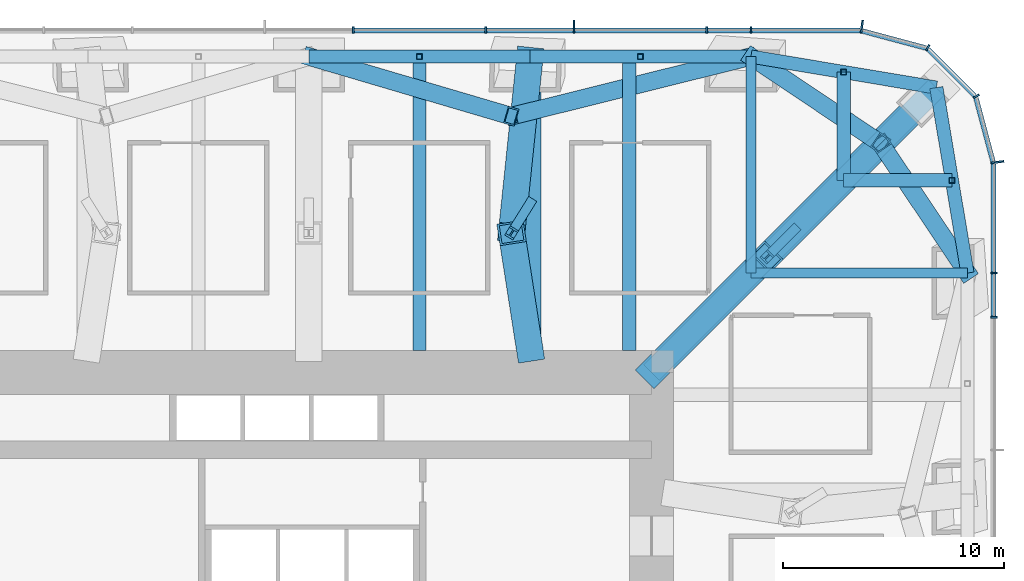
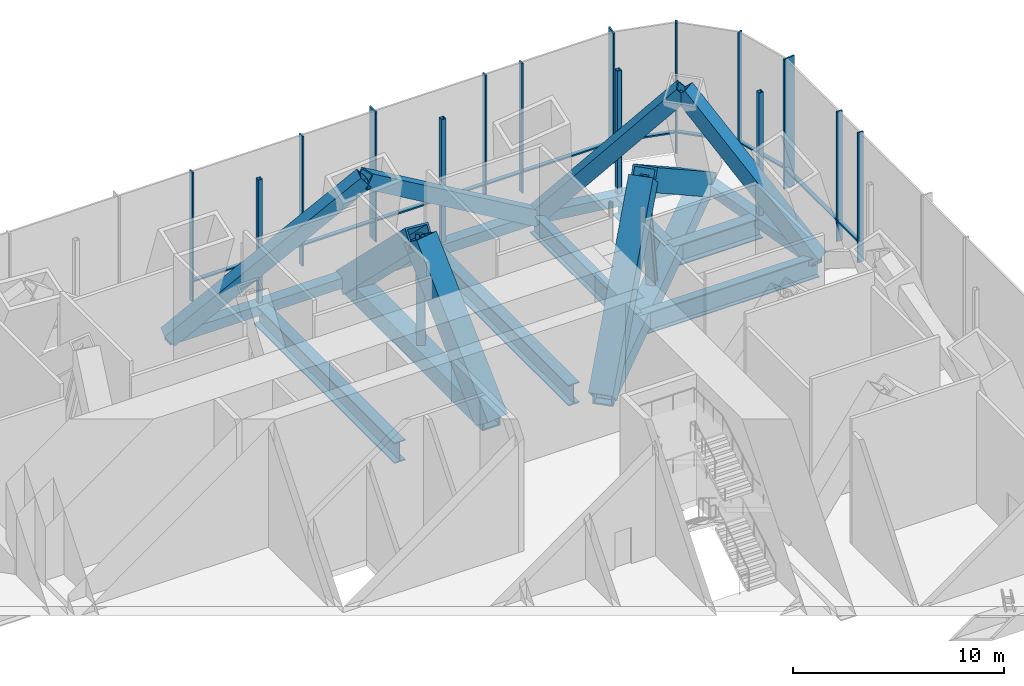
# One storey, part 9 of 20: 41 members, 6 beams, 3 elements without a shape of their own.
"""IFC4 building model written with IfcOpenShell, lengths in metres."""

import ifcopenshell
import ifcopenshell.guid

model = None  # the IFC model being written
_history = None  # IfcOwnerHistory: only IFC2X3 demands one
_inside = {}  # id of a spatial element -> (the spatial element, [elements in it])
_under = {}  # id of a project, library or spatial element -> (it, [spatial elements below it])
_declared = {}  # id of a project -> (the project, [libraries it declares])
_typed = {}  # id of a type object -> (the type object, [elements of that type])
_made_of = {}  # id of a material, layer set ... -> (it, [elements and type objects made of it])


def new_model(schema):
    """Start an empty IFC model of exactly this schema.

    Asked for "IFC4X3", IfcOpenShell would pick the latest addendum, in which some entities
    have other attributes; the version numbers below select the first issue.
    IFC2X3 requires an IfcOwnerHistory on every rooted entity: one is made here for all.
    """
    global model, _history
    if schema == "IFC4X3":
        model = ifcopenshell.file(schema_version=(4, 3, 0, 0))
    else:
        model = ifcopenshell.file(schema=schema)
    _inside.clear()
    _under.clear()
    _declared.clear()
    _typed.clear()
    _made_of.clear()
    _history = None
    if model.schema == "IFC2X3":
        org = make("IfcOrganization", Name="unknown")
        user = make(
            "IfcPersonAndOrganization",
            ThePerson=make("IfcPerson", FamilyName="unknown"),
            TheOrganization=org,
        )
        app = make(
            "IfcApplication",
            ApplicationDeveloper=org,
            Version="unknown",
            ApplicationFullName="unknown",
            ApplicationIdentifier="unknown",
        )
        _history = make(
            "IfcOwnerHistory",
            OwningUser=user,
            OwningApplication=app,
            ChangeAction="ADDED",
            CreationDate=0,
        )
    return model


def make(cls, **values):
    """One entity of the class cls with the attributes given. An attribute that is None is left unset."""
    return model.create_entity(
        cls, **{name: value for name, value in values.items() if value is not None}
    )


def rooted(cls, **values):
    """An entity with a GlobalId (a new one), such as an element, a storey or a relation."""
    return make(cls, GlobalId=ifcopenshell.guid.new(), OwnerHistory=_history, **values)


def si_unit(unit_type, name, prefix=None):
    """IfcSIUnit, for example si_unit("LENGTHUNIT", "METRE", prefix="MILLI")."""
    return make("IfcSIUnit", UnitType=unit_type, Prefix=prefix, Name=name)


def assignment(units):
    """IfcUnitAssignment: the units of a project."""
    return None if units is None else make("IfcUnitAssignment", Units=units)


def point(xyz):
    """IfcCartesianPoint."""
    return None if xyz is None else make("IfcCartesianPoint", Coordinates=xyz)


def direction(xyz):
    """IfcDirection."""
    return None if xyz is None else make("IfcDirection", DirectionRatios=xyz)


def frame(location, z_axis=None, x_axis=None):
    """IfcAxis2Placement3D, a coordinate frame: its origin and axes. An axis left out is left unset."""
    return make(
        "IfcAxis2Placement3D",
        Location=point(location),
        Axis=direction(z_axis),
        RefDirection=direction(x_axis),
    )


def frame_2d(location, x_axis=None):
    """IfcAxis2Placement2D, a coordinate frame in the plane: its origin and x axis."""
    return make(
        "IfcAxis2Placement2D", Location=point(location), RefDirection=direction(x_axis)
    )


def origin():
    """The frame at (0, 0, 0) with its axes left unset."""
    return frame((0.0, 0.0, 0.0))


def origin_2d():
    """The frame at (0, 0) in the plane with its x axis left unset."""
    return frame_2d((0.0, 0.0))


def place(relative_to, where):
    """IfcLocalPlacement: puts the frame where relative to a parent placement (None: the world)."""
    return make(
        "IfcLocalPlacement", PlacementRelTo=relative_to, RelativePlacement=where
    )


def context(
    kind, dimensions, precision=None, world=None, true_north=None, identifier=None
):
    """IfcGeometricRepresentationContext, for example the 3D "Model" context."""
    return make(
        "IfcGeometricRepresentationContext",
        ContextIdentifier=identifier,
        ContextType=kind,
        CoordinateSpaceDimension=dimensions,
        Precision=precision,
        WorldCoordinateSystem=world,
        TrueNorth=true_north,
    )


def subcontext(parent, identifier, kind, view, scale=None):
    """IfcGeometricRepresentationSubContext, for example "Body" below "Model"."""
    return make(
        "IfcGeometricRepresentationSubContext",
        ContextIdentifier=identifier,
        ContextType=kind,
        ParentContext=parent,
        TargetScale=scale,
        TargetView=view,
    )


def project(units=None, contexts=None):
    """IfcProject with its units and contexts."""
    return rooted(
        "IfcProject",
        Name="project",
        RepresentationContexts=contexts,
        UnitsInContext=assignment(units),
    )


def spatial(cls, under=None, at=None, **own):
    """A site, building, storey or space (cls), placed at a placement, below another one or the project."""
    s = rooted(cls, ObjectPlacement=at, **own)
    if under is not None:
        _under.setdefault(under.id(), (under, []))[1].append(s)
    return s


def profile(cls, at=None, kind="AREA", **sizes):
    """A parametric profile (cls). Its sizes go by their IFC names, for example OverallWidth=200.0."""
    return make(cls, ProfileType=kind, Position=at, **sizes)


def rectangle(**sizes):
    """IfcRectangleProfileDef."""
    return profile("IfcRectangleProfileDef", **sizes)


def hollow_rectangle(**sizes):
    """IfcRectangleHollowProfileDef."""
    return profile("IfcRectangleHollowProfileDef", **sizes)


def i_section(**sizes):
    """IfcIShapeProfileDef."""
    return profile("IfcIShapeProfileDef", **sizes)


def extrude(swept, where, along, depth):
    """IfcExtrudedAreaSolid: the profile swept, set in the frame where, extruded along a direction by depth."""
    return make(
        "IfcExtrudedAreaSolid",
        SweptArea=swept,
        Position=where,
        ExtrudedDirection=direction(along),
        Depth=depth,
    )


def shape(context_of_items, identifier, shape_type, items):
    """IfcShapeRepresentation: the items that make up one representation, for example the "Body"."""
    return make(
        "IfcShapeRepresentation",
        ContextOfItems=context_of_items,
        RepresentationIdentifier=identifier,
        RepresentationType=shape_type,
        Items=items,
    )


def material(Name=None, Category=None):
    """IfcMaterial."""
    return make("IfcMaterial", Name=Name, Category=Category)


def material_profile(
    of_material, cross_section, Name=None, Category=None, Priority=None
):
    """IfcMaterialProfile: a cross section and its material."""
    return make(
        "IfcMaterialProfile",
        Name=Name,
        Material=of_material,
        Profile=cross_section,
        Priority=Priority,
        Category=Category,
    )


def profile_set(profiles, Name=None, composite=None):
    """IfcMaterialProfileSet."""
    return make(
        "IfcMaterialProfileSet",
        Name=Name,
        MaterialProfiles=profiles,
        CompositeProfile=composite,
    )


def made_of(thing, what):
    """Note that an element or type object is made of a material, layer set ...; save() writes the relation."""
    if what is not None:
        _made_of.setdefault(what.id(), (what, []))[1].append(thing)
    return thing


def type_object(cls, material=None, **own):
    """A type object (cls), such as IfcWallType, which elements share."""
    return made_of(rooted(cls, **own), material)


def element(
    cls,
    number,
    at=None,
    inside=None,
    cuts=None,
    type_object=None,
    material=None,
    context=None,
    identifier="Body",
    shape_type=None,
    held_by="IfcProductDefinitionShape",
    body=None,
    shapes=None,
    **own,
):
    """One element of the class cls, such as IfcWall. Its Tag is "e" and its number.

    at: its placement. inside: the storey or other place that contains it. cuts: it is an
    opening in that element (IfcRelVoidsElement). A single representation is given by context,
    identifier, shape_type and body (its items); several are given by shapes. held_by: the class
    of the entity that holds the representations. save() writes the other relations.
    """
    e = rooted(cls, Tag="e%d" % number, ObjectPlacement=at, **own)
    if body is not None:
        shapes = [shape(context, identifier, shape_type, body)]
    if shapes is not None:
        e.Representation = make(held_by, Representations=shapes)
    if inside is not None:
        _inside.setdefault(inside.id(), (inside, []))[1].append(e)
    if cuts is not None:
        rooted(
            "IfcRelVoidsElement", RelatingBuildingElement=cuts, RelatedOpeningElement=e
        )
    if type_object is not None:
        _typed.setdefault(type_object.id(), (type_object, []))[1].append(e)
    return made_of(e, material)


def aggregate(whole, parts):
    """IfcRelAggregates: a whole, such as a stair, and the parts it consists of."""
    return rooted("IfcRelAggregates", RelatingObject=whole, RelatedObjects=parts)


def save(model, path):
    """Write the relations noted so far, then the file.

    IfcRelAggregates (storeys below a building ...), IfcRelContainedInSpatialStructure (elements
    in a storey), IfcRelDefinesByType, IfcRelAssociatesMaterial and IfcRelDeclares: one each for
    every whole, place, type object, material and project.
    """
    for whole, parts in _under.values():
        aggregate(whole, parts)
    for where, things in _inside.values():
        rooted(
            "IfcRelContainedInSpatialStructure",
            RelatedElements=things,
            RelatingStructure=where,
        )
    for kind, things in _typed.values():
        rooted("IfcRelDefinesByType", RelatedObjects=things, RelatingType=kind)
    for what, things in _made_of.values():
        rooted("IfcRelAssociatesMaterial", RelatedObjects=things, RelatingMaterial=what)
    for by, libraries in _declared.values():
        rooted("IfcRelDeclares", RelatingContext=by, RelatedDefinitions=libraries)
    model.write(path)


model = new_model("IFC4")

# Units and contexts
model_context = context("Model", 3, precision=1e-05, world=origin(), true_north=direction((0.0, 1.0)))
body_context = subcontext(model_context, "Body", "Model", "MODEL_VIEW")
ifc_project = project(units=[si_unit("LENGTHUNIT", "METRE"), si_unit("AREAUNIT", "SQUARE_METRE"), si_unit("VOLUMEUNIT", "CUBIC_METRE"), si_unit("PLANEANGLEUNIT", "RADIAN"), si_unit("MASSUNIT", "GRAM", prefix="KILO")], contexts=[model_context])

# Site, building, storey
site_placement = place(None, origin())
site = spatial("IfcSite", under=ifc_project, at=site_placement, CompositionType="ELEMENT")
building_placement = place(site_placement, origin())
building = spatial("IfcBuilding", under=site, at=building_placement, Name="Khuree Lantern Residences", CompositionType="ELEMENT")
storey_placement = place(building_placement, frame((0.0, 0.0, 99.75)))
storey = spatial("IfcBuildingStorey", under=building, at=storey_placement, Name="L25", CompositionType="ELEMENT", Elevation=99.75)

# Beams
ifc_material_1 = material(Name="Steel S355", Category="steel")
ifc_material_profile_1 = material_profile(ifc_material_1, i_section(OverallWidth=0.60009765625, OverallDepth=1.199951171875, WebThickness=0.030029296875, FlangeThickness=0.06005859375, at=origin_2d()), Name="WELDED I 1200X600X30X60")
ifc_profile_set_1 = profile_set([ifc_material_profile_1], Name="Steel S355")
beam_type_1 = type_object("IfcBeamType", Name="B-25 SECONDARY BEAM WELDED I 1200X600X30X60", PredefinedType="BEAM", material=ifc_profile_set_1)
for number, where, z_axis, x_axis, name in (
    (1, (5.0, 29.800048828125, -0.949951171875), (0.0, -1.0, 0.0), (1.0, 0.0, 0.0), "Secondary beam N3"),
    (2, (14.5, 29.800048828125, -0.949951171875), (0.0, -1.0, 0.0), (1.0, 0.0, 0.0), "Secondary beam N4"),
):
    element("IfcBeam", number, at=place(storey_placement, frame(where, z_axis=z_axis, x_axis=x_axis)), inside=storey, type_object=beam_type_1, Name=name, PredefinedType="BEAM", context=body_context, shape_type="SweptSolid", body=[
        extrude(i_section(OverallWidth=0.60009765625, OverallDepth=1.199951171875, WebThickness=0.030029296875, FlangeThickness=0.06005859375, at=origin_2d()), origin(), (0.0, 0.0, 1.0), 13.300048828125),
    ])
for number, where, z_axis, x_axis, name in (
    (3, (24.197021484375, 29.09716796875, -0.949951171875), (0.0, -1.0, 0.0), (1.0, 0.0, 0.0), "Secondary beam N5"),
    (4, (29.09716796875, 24.197021484375, -0.949951171875), (-1.0, 0.0, 0.0), (0.0, -1.0, 0.0), "Secondary beam E1"),
):
    element("IfcBeam", number, at=place(storey_placement, frame(where, z_axis=z_axis, x_axis=x_axis)), inside=storey, type_object=beam_type_1, Name=name, PredefinedType="BEAM", context=body_context, shape_type="SweptSolid", body=[
        extrude(i_section(OverallWidth=0.60009765625, OverallDepth=1.199951171875, WebThickness=0.030029296875, FlangeThickness=0.06005859375, at=origin_2d()), origin(), (0.0, 0.0, 1.0), 4.900146484375),
    ])

# Members
ifc_material_profile_2 = material_profile(ifc_material_1, hollow_rectangle(XDim=0.800048828125, YDim=0.800048828125, WallThickness=0.070068359375, at=origin_2d()), Name="WELDED BOX 800X800X70")
ifc_profile_set_2 = profile_set([ifc_material_profile_2], Name="Steel S355")
member_type_1 = type_object("IfcMemberType", Name="BD-25 BELT TRUSS DIAGONAL WELDED BOX 800X800X70", PredefinedType="BRACE", material=ifc_profile_set_2)
member_1_placement = place(storey_placement, frame((0.0, 29.800048828125, -0.64990234375), z_axis=(0.750531400006, -0.22122462626, 0.622705614509), x_axis=(0.282731000098, 0.959199239774, 0.0)))
element("IfcMember", 5, at=member_1_placement, inside=storey, type_object=member_type_1, Name="Belt truss diagonal N3", PredefinedType="BRACE", context=body_context, shape_type="SweptSolid", body=[
    extrude(hollow_rectangle(XDim=0.800048828125, YDim=0.800048828125, WallThickness=0.070068359375, at=origin_2d()), origin(), (0.0, 0.0, 1.0), 12.20458984375),
])
member_2_placement = place(storey_placement, frame((9.159912109375, 27.10009765625, 6.949951171875), z_axis=(0.802298387089, 0.199829234991, -0.562481621849), x_axis=(-0.241687069936, 0.970354244709, 0.0)))
element("IfcMember", 6, at=member_2_placement, inside=storey, type_object=member_type_1, Name="Belt truss diagonal N4", PredefinedType="BRACE", context=body_context, shape_type="SweptSolid", body=[
    extrude(hollow_rectangle(XDim=0.800048828125, YDim=0.800048828125, WallThickness=0.070068359375, at=origin_2d()), origin(), (0.0, 0.0, 1.0), 13.51123046875),
])
for number, where, z_axis, x_axis, name in (
    (7, (20.0, 29.800048828125, -0.64990234375), (0.565721390777, -0.378778977196, 0.732451905897), (0.556358006907, 0.830942698476, 0.0), "Belt truss diagonal N5"),
    (8, (25.869873046875, 25.869873046875, 6.949951171875), (0.378778977196, -0.565721390777, -0.732451905897), (0.830942698476, 0.556358006907, 0.0), "Belt truss diagonal E1"),
):
    element("IfcMember", number, at=place(storey_placement, frame(where, z_axis=z_axis, x_axis=x_axis)), inside=storey, type_object=member_type_1, Name=name, PredefinedType="BRACE", context=body_context, shape_type="SweptSolid", body=[
        extrude(hollow_rectangle(XDim=0.800048828125, YDim=0.800048828125, WallThickness=0.070068359375, at=origin_2d()), origin(), (0.0, 0.0, 1.0), 10.3759765625),
    ])
ifc_material_profile_3 = material_profile(ifc_material_1, hollow_rectangle(XDim=0.60009765625, YDim=0.60009765625, WallThickness=0.050048828125, at=origin_2d()), Name="WELDED BOX 600X600X50")
ifc_profile_set_3 = profile_set([ifc_material_profile_3], Name="Steel S355")
member_type_2 = type_object("IfcMemberType", Name="BT-25 BELT TRUSS CHORD WELDED BOX 600X600X50", PredefinedType="CHORD", material=ifc_profile_set_3)
for number, where, z_axis, x_axis, name in (
    (9, (0.0, 29.800048828125, -0.64990234375), (1.0, 0.0, 0.0), (0.0, 1.0, 0.0), "Belt truss chord N3"),
    (10, (10.0, 29.800048828125, -0.64990234375), (1.0, 0.0, 0.0), (0.0, 1.0, 0.0), "Belt truss chord N4"),
):
    element("IfcMember", number, at=place(storey_placement, frame(where, z_axis=z_axis, x_axis=x_axis)), inside=storey, type_object=member_type_2, Name=name, PredefinedType="CHORD", context=body_context, shape_type="SweptSolid", body=[
        extrude(hollow_rectangle(XDim=0.60009765625, YDim=0.60009765625, WallThickness=0.050048828125, at=origin_2d()), origin(), (0.0, 0.0, 1.0), 10.0),
    ])
for number, where, z_axis, x_axis, name in (
    (11, (20.0, 29.800048828125, -0.64990234375), (0.986260251158, -0.165199022349, 0.0), (0.165199022349, 0.986260251158, 0.0), "Belt truss chord N5"),
    (12, (28.39404296875, 28.39404296875, -0.64990234375), (0.165199022349, -0.986260251158, 0.0), (0.986260251158, 0.165199022349, 0.0), "Belt truss chord E1"),
):
    element("IfcMember", number, at=place(storey_placement, frame(where, z_axis=z_axis, x_axis=x_axis)), inside=storey, type_object=member_type_2, Name=name, PredefinedType="CHORD", context=body_context, shape_type="SweptSolid", body=[
        extrude(hollow_rectangle(XDim=0.60009765625, YDim=0.60009765625, WallThickness=0.050048828125, at=origin_2d()), origin(), (0.0, 0.0, 1.0), 8.510986328125),
    ])

# Curtain wall, member
ifc_material_2 = material(Name="Bronze anodised aluminium", Category="aluminium")
curtain_wall_type = type_object("IfcCurtainWallType", Name="CW-G PLANT STOREY LOUVRED CURTAIN WALL", PredefinedType="USERDEFINED", material=ifc_material_2)
curtain_wall_1_placement = place(storey_placement, origin())
curtain_wall_1 = element("IfcCurtainWall", 13, at=curtain_wall_1_placement, inside=storey, type_object=curtain_wall_type, Name="L25 NORTH-EAST CORNER CURTAIN WALL", ObjectType="Louvred curtain wall", PredefinedType="USERDEFINED")
ifc_material_profile_4 = material_profile(ifc_material_2, rectangle(XDim=0.080078125, YDim=0.60009765625, at=origin_2d()), Name="F2 80X600")
ifc_profile_set_4 = profile_set([ifc_material_profile_4], Name="Bronze anodised aluminium")
member_type_3 = type_object("IfcMemberType", Name="F2 BRONZE FIN MULLION PLANT 80X600", PredefinedType="MULLION", material=ifc_profile_set_4)
member_3_placement = place(storey_placement, frame((31.150146484375, 25.019775390625, 0.0), z_axis=(0.0, 0.0, 1.0), x_axis=(-0.130526257387, 0.991444852794, 0.0)))
member_3 = element("IfcMember", 14, at=member_3_placement, type_object=member_type_3, Name="L25 NORTH-EAST CORNER FIN MULLION 15", PredefinedType="MULLION", context=body_context, shape_type="SweptSolid", body=[
    extrude(rectangle(XDim=0.080078125, YDim=0.60009765625, at=origin_2d()), origin(), (0.0, 0.0, 1.0), 7.5),
])

# Curtain wall, members
curtain_wall_2_placement = place(storey_placement, origin())
curtain_wall_2 = element("IfcCurtainWall", 15, at=curtain_wall_2_placement, inside=storey, type_object=curtain_wall_type, Name="L25 NORTH FACE CURTAIN WALL", ObjectType="Louvred curtain wall", PredefinedType="USERDEFINED")
member_4_placement = place(storey_placement, frame((25.019775390625, 31.150146484375, 0.0), z_axis=(0.0, 0.0, 1.0), x_axis=(-0.991444852794, 0.130526257387, 0.0)))
member_4 = element("IfcMember", 16, at=member_4_placement, type_object=member_type_3, Name="L25 NORTH FACE FIN MULLION 18", PredefinedType="MULLION", context=body_context, shape_type="SweptSolid", body=[
    extrude(rectangle(XDim=0.080078125, YDim=0.60009765625, at=origin_2d()), origin(), (0.0, 0.0, 1.0), 7.5),
])
member_5_placement = place(storey_placement, frame((12.0, 31.14990234375, 0.0), z_axis=(0.0, 0.0, 1.0), x_axis=(-1.0, 0.0, 0.0)))
member_5 = element("IfcMember", 17, at=member_5_placement, type_object=member_type_3, Name="L25 NORTH FACE FIN MULLION 21", PredefinedType="MULLION", context=body_context, shape_type="SweptSolid", body=[
    extrude(rectangle(XDim=0.080078125, YDim=0.60009765625, at=origin_2d()), origin(), (0.0, 0.0, 1.0), 7.5),
])

# Beams
ifc_material_profile_5 = material_profile(ifc_material_1, i_section(OverallWidth=0.449951171875, OverallDepth=1.199951171875, WebThickness=0.02490234375, FlangeThickness=0.044921875, at=origin_2d()), Name="WELDED I 1200X450X25X45")
ifc_profile_set_5 = profile_set([ifc_material_profile_5], Name="Steel S355")
beam_type_2 = type_object("IfcBeamType", Name="G-25 GIRDER WELDED I 1200X450X25X45", PredefinedType="BEAM", material=ifc_profile_set_5)
for number, where, z_axis, x_axis, name in (
    (18, (20.0, 29.800048828125, -0.949951171875), (0.0, -1.0, 0.0), (1.0, 0.0, 0.0), "Girder N5"),
    (19, (29.800048828125, 20.0, -0.949951171875), (-1.0, 0.0, 0.0), (0.0, -1.0, 0.0), "Girder E1"),
):
    element("IfcBeam", number, at=place(storey_placement, frame(where, z_axis=z_axis, x_axis=x_axis)), inside=storey, type_object=beam_type_2, Name=name, PredefinedType="BEAM", context=body_context, shape_type="SweptSolid", body=[
        extrude(i_section(OverallWidth=0.449951171875, OverallDepth=1.199951171875, WebThickness=0.02490234375, FlangeThickness=0.044921875, at=origin_2d()), origin(), (0.0, 0.0, 1.0), 9.800048828125),
    ])

# Curtain wall, members
curtain_wall_3_placement = place(storey_placement, origin())
curtain_wall_3 = element("IfcCurtainWall", 20, at=curtain_wall_3_placement, inside=storey, type_object=curtain_wall_type, Name="L25 EAST FACE CURTAIN WALL", ObjectType="Louvred curtain wall", PredefinedType="USERDEFINED")
ifc_material_profile_6 = material_profile(ifc_material_2, rectangle(XDim=0.080078125, YDim=0.300048828125, at=origin_2d()), Name="M2 80X300")
ifc_profile_set_6 = profile_set([ifc_material_profile_6], Name="Bronze anodised aluminium")
member_type_4 = type_object("IfcMemberType", Name="MULLION M2 PLANT 80X300", PredefinedType="MULLION", material=ifc_profile_set_6)
member_6_placement = place(storey_placement, frame((31.0, 18.0, 0.0), z_axis=(0.0, 0.0, 1.0), x_axis=(0.0, 1.0, 0.0)))
member_6 = element("IfcMember", 21, at=member_6_placement, type_object=member_type_4, Name="L25 EAST FACE MULLION 13", PredefinedType="MULLION", context=body_context, shape_type="SweptSolid", body=[
    extrude(rectangle(XDim=0.080078125, YDim=0.300048828125, at=origin_2d()), origin(), (0.0, 0.0, 1.0), 7.5),
])
member_7_placement = place(storey_placement, frame((31.0, 20.0, 0.0), z_axis=(0.0, 0.0, 1.0), x_axis=(0.0, 1.0, 0.0)))
member_7 = element("IfcMember", 22, at=member_7_placement, type_object=member_type_4, Name="L25 EAST FACE MULLION 14", PredefinedType="MULLION", context=body_context, shape_type="SweptSolid", body=[
    extrude(rectangle(XDim=0.080078125, YDim=0.300048828125, at=origin_2d()), origin(), (0.0, 0.0, 1.0), 7.5),
])

# Member
member_8_placement = place(storey_placement, frame((30.196044921875, 28.0, 0.0), z_axis=(0.0, 0.0, 1.0), x_axis=(-0.500000056923, 0.86602537092, 0.0)))
member_8 = element("IfcMember", 23, at=member_8_placement, type_object=member_type_4, Name="L25 NORTH-EAST CORNER MULLION 16", PredefinedType="MULLION", context=body_context, shape_type="SweptSolid", body=[
    extrude(rectangle(XDim=0.080078125, YDim=0.300048828125, at=origin_2d()), origin(), (0.0, 0.0, 1.0), 7.5),
])

member_9_placement = place(storey_placement, frame((28.0, 30.196044921875, 0.0), z_axis=(0.0, 0.0, 1.0), x_axis=(-0.86602537092, 0.500000056923, 0.0)))
member_9 = element("IfcMember", 24, at=member_9_placement, type_object=member_type_4, Name="L25 NORTH-EAST CORNER MULLION 17", PredefinedType="MULLION", context=body_context, shape_type="SweptSolid", body=[
    extrude(rectangle(XDim=0.080078125, YDim=0.300048828125, at=origin_2d()), origin(), (0.0, 0.0, 1.0), 7.5),
])

member_10_placement = place(storey_placement, frame((20.0, 31.0, 0.0), z_axis=(0.0, 0.0, 1.0), x_axis=(-1.0, 0.0, 0.0)))
member_10 = element("IfcMember", 25, at=member_10_placement, type_object=member_type_4, Name="L25 NORTH FACE MULLION 19", PredefinedType="MULLION", context=body_context, shape_type="SweptSolid", body=[
    extrude(rectangle(XDim=0.080078125, YDim=0.300048828125, at=origin_2d()), origin(), (0.0, 0.0, 1.0), 7.5),
])

member_11_placement = place(storey_placement, frame((18.0, 31.0, 0.0), z_axis=(0.0, 0.0, 1.0), x_axis=(-1.0, 0.0, 0.0)))
member_11 = element("IfcMember", 26, at=member_11_placement, type_object=member_type_4, Name="L25 NORTH FACE MULLION 20", PredefinedType="MULLION", context=body_context, shape_type="SweptSolid", body=[
    extrude(rectangle(XDim=0.080078125, YDim=0.300048828125, at=origin_2d()), origin(), (0.0, 0.0, 1.0), 7.5),
])

member_12_placement = place(storey_placement, frame((8.0, 31.0, 0.0), z_axis=(0.0, 0.0, 1.0), x_axis=(-1.0, 0.0, 0.0)))
member_12 = element("IfcMember", 27, at=member_12_placement, type_object=member_type_4, Name="L25 NORTH FACE MULLION 22", PredefinedType="MULLION", context=body_context, shape_type="SweptSolid", body=[
    extrude(rectangle(XDim=0.080078125, YDim=0.300048828125, at=origin_2d()), origin(), (0.0, 0.0, 1.0), 7.5),
])

member_13_placement = place(storey_placement, frame((2.0, 31.0, 0.0), z_axis=(0.0, 0.0, 1.0), x_axis=(-1.0, 0.0, 0.0)))
member_13 = element("IfcMember", 28, at=member_13_placement, type_object=member_type_4, Name="L25 NORTH FACE MULLION 23", PredefinedType="MULLION", context=body_context, shape_type="SweptSolid", body=[
    extrude(rectangle(XDim=0.080078125, YDim=0.300048828125, at=origin_2d()), origin(), (0.0, 0.0, 1.0), 7.5),
])

# Members
ifc_material_profile_7 = material_profile(ifc_material_1, hollow_rectangle(XDim=1.199951171875, YDim=1.199951171875, WallThickness=0.10009765625, at=origin_2d()), Name="WELDED BOX 1200X1200X100")
ifc_profile_set_7 = profile_set([ifc_material_profile_7], Name="Steel S355")
member_type_5 = type_object("IfcMemberType", Name="OD-25 OUTRIGGER TRUSS DIAGONAL WELDED BOX 1200X1200X100", PredefinedType="BRACE", material=ifc_profile_set_7)
member_14_placement = place(storey_placement, frame((15.5, 15.5, -0.85009765625), z_axis=(0.493384393835, 0.493384393835, 0.716340477594), x_axis=(-0.707106781187, 0.707106781187, 0.0)))
element("IfcMember", 29, at=member_14_placement, inside=storey, type_object=member_type_5, Name="Outrigger diagonal NE core side", PredefinedType="BRACE", context=body_context, shape_type="SweptSolid", body=[
    extrude(hollow_rectangle(XDim=1.199951171875, YDim=1.199951171875, WallThickness=0.10009765625, at=origin_2d()), origin(), (0.0, 0.0, 1.0), 10.609619140625),
])
member_15_placement = place(storey_placement, frame((20.734619140625, 20.734619140625, 6.75), z_axis=(0.578840874026, 0.578840874026, -0.57435745413), x_axis=(-0.707106781187, 0.707106781187, 0.0)))
element("IfcMember", 30, at=member_15_placement, inside=storey, type_object=member_type_5, Name="Outrigger diagonal NE column side", PredefinedType="BRACE", context=body_context, shape_type="SweptSolid", body=[
    extrude(hollow_rectangle(XDim=1.199951171875, YDim=1.199951171875, WallThickness=0.10009765625, at=origin_2d()), origin(), (0.0, 0.0, 1.0), 13.232421875),
])
member_16_placement = place(storey_placement, frame((10.0, 16.5, -0.85009765625), z_axis=(-0.089001957603, 0.571028170987, 0.81609158768), x_axis=(-0.988070340998, -0.154003250743, 0.0)))
element("IfcMember", 31, at=member_16_placement, inside=storey, type_object=member_type_5, Name="Outrigger diagonal N4 core side", PredefinedType="BRACE", context=body_context, shape_type="SweptSolid", body=[
    extrude(hollow_rectangle(XDim=1.199951171875, YDim=1.199951171875, WallThickness=0.10009765625, at=origin_2d()), origin(), (0.0, 0.0, 1.0), 9.312744140625),
])
member_17_placement = place(storey_placement, frame((9.171142578125, 21.81787109375, 6.75), z_axis=(0.074990945606, 0.722188208122, -0.687619480619), x_axis=(-0.994651991951, 0.103283178244, 0.0)))
element("IfcMember", 32, at=member_17_placement, inside=storey, type_object=member_type_5, Name="Outrigger diagonal N4 column side", PredefinedType="BRACE", context=body_context, shape_type="SweptSolid", body=[
    extrude(hollow_rectangle(XDim=1.199951171875, YDim=1.199951171875, WallThickness=0.10009765625, at=origin_2d()), origin(), (0.0, 0.0, 1.0), 11.052734375),
])
ifc_material_profile_8 = material_profile(ifc_material_1, i_section(OverallWidth=0.431884765625, OverallDepth=0.498046875, WebThickness=0.0556640625, FlangeThickness=0.0888671875, FilletRadius=0.014892578125, at=origin_2d()), Name="HD 400X744")
ifc_profile_set_8 = profile_set([ifc_material_profile_8], Name="Steel S355")
member_type_6 = type_object("IfcMemberType", Name="OP-25 OUTRIGGER TRUSS POST HD 400X744", PredefinedType="POST", material=ifc_profile_set_8)
member_18_placement = place(storey_placement, frame((21.947021484375, 21.947021484375, -0.85009765625), z_axis=(-0.155613649455, -0.155613649455, 0.975483871833), x_axis=(0.707106781187, -0.707106781187, 0.0)))
element("IfcMember", 33, at=member_18_placement, inside=storey, type_object=member_type_6, Name="Outrigger post NE", PredefinedType="POST", context=body_context, shape_type="SweptSolid", body=[
    extrude(i_section(OverallWidth=0.431884765625, OverallDepth=0.498046875, WebThickness=0.0556640625, FlangeThickness=0.0888671875, FilletRadius=0.014892578125, at=origin_2d()), origin(), (0.0, 0.0, 1.0), 7.791015625),
])
member_19_placement = place(storey_placement, frame((10.0, 23.14990234375, -0.85009765625), z_axis=(-0.106806915278, -0.171646105966, 0.979351773958), x_axis=(0.849045745314, -0.528319337489, 0.0)))
element("IfcMember", 34, at=member_19_placement, inside=storey, type_object=member_type_6, Name="Outrigger post N4", PredefinedType="POST", context=body_context, shape_type="SweptSolid", body=[
    extrude(i_section(OverallWidth=0.431884765625, OverallDepth=0.498046875, WebThickness=0.0556640625, FlangeThickness=0.0888671875, FilletRadius=0.014892578125, at=origin_2d()), origin(), (0.0, 0.0, 1.0), 7.76025390625),
])
ifc_material_profile_9 = material_profile(ifc_material_1, hollow_rectangle(XDim=1.0, YDim=1.0, WallThickness=0.080078125, at=origin_2d()), Name="WELDED BOX 1000X1000X80")
ifc_profile_set_9 = profile_set([ifc_material_profile_9], Name="Steel S355")
member_type_7 = type_object("IfcMemberType", Name="OT-25 OUTRIGGER TRUSS CHORD WELDED BOX 1000X1000X80", PredefinedType="CHORD", material=ifc_profile_set_9)
member_20_placement = place(storey_placement, frame((10.0, 29.800048828125, -0.85009765625), z_axis=(0.0, -1.0, 0.0), x_axis=(1.0, 0.0, 0.0)))
element("IfcMember", 35, at=member_20_placement, inside=storey, type_object=member_type_7, Name="Outrigger chord N4", PredefinedType="CHORD", context=body_context, shape_type="SweptSolid", body=[
    extrude(hollow_rectangle(XDim=1.0, YDim=1.0, WallThickness=0.080078125, at=origin_2d()), origin(), (0.0, 0.0, 1.0), 13.300048828125),
])
member_21_placement = place(storey_placement, frame((28.39404296875, 28.39404296875, -0.85009765625), z_axis=(-0.707106781187, -0.707106781187, 0.0), x_axis=(0.707106781187, -0.707106781187, 0.0)))
element("IfcMember", 36, at=member_21_placement, inside=storey, type_object=member_type_7, Name="Outrigger chord NE", PredefinedType="CHORD", context=body_context, shape_type="SweptSolid", body=[
    extrude(hollow_rectangle(XDim=1.0, YDim=1.0, WallThickness=0.080078125, at=origin_2d()), origin(), (0.0, 0.0, 1.0), 18.23486328125),
])
ifc_material_profile_10 = material_profile(ifc_material_1, hollow_rectangle(XDim=0.25, YDim=0.25, WallThickness=0.012451171875, InnerFilletRadius=0.012451171875, OuterFilletRadius=0.018798828125, at=origin_2d()), Name="SHS 250X250X12.5")
ifc_profile_set_10 = profile_set([ifc_material_profile_10], Name="Steel S355")
member_type_8 = type_object("IfcMemberType", Name="TP1 TERRACE POST SHS 250X250X12.5", PredefinedType="POST", material=ifc_profile_set_10)
for number, where, z_axis, x_axis, name in (
    (37, (5.0, 29.800048828125, -0.35009765625), (0.0, 0.0, 1.0), (1.0, 0.0, 0.0), "Terrace post N3"),
    (38, (15.0, 29.800048828125, -0.35009765625), (0.0, 0.0, 1.0), (1.0, 0.0, 0.0), "Terrace post N4"),
    (39, (24.197021484375, 29.09716796875, -0.35009765625), (0.0, 0.0, 1.0), (1.0, 0.0, 0.0), "Terrace post N5"),
    (40, (29.09716796875, 24.197021484375, -0.35009765625), (0.0, 0.0, 1.0), (1.0, 0.0, 0.0), "Terrace post E1"),
):
    element("IfcMember", number, at=place(storey_placement, frame(where, z_axis=z_axis, x_axis=x_axis)), inside=storey, type_object=member_type_8, Name=name, PredefinedType="POST", context=body_context, shape_type="SweptSolid", body=[
        extrude(hollow_rectangle(XDim=0.25, YDim=0.25, WallThickness=0.012451171875, InnerFilletRadius=0.012451171875, OuterFilletRadius=0.018798828125, at=origin_2d()), origin(), (0.0, 0.0, 1.0), 7.10009765625),
    ])

# Member
ifc_material_profile_11 = material_profile(ifc_material_2, rectangle(XDim=0.219970703125, YDim=0.080078125, at=origin_2d()), Name="T2 220X80")
ifc_profile_set_11 = profile_set([ifc_material_profile_11], Name="Bronze anodised aluminium")
member_type_9 = type_object("IfcMemberType", Name="TRANSOM T2 PLANT 220X80", PredefinedType="USERDEFINED", material=ifc_profile_set_11)
member_22_placement = place(storey_placement, frame((30.969970703125, 18.0400390625, 1.199951171875), z_axis=(0.0, 1.0, 0.0), x_axis=(-1.0, 0.0, 0.0)))
member_22 = element("IfcMember", 41, at=member_22_placement, type_object=member_type_9, Name="L25 EAST FACE TRANSOM 13.1", ObjectType="Transom", PredefinedType="USERDEFINED", context=body_context, shape_type="SweptSolid", body=[
    extrude(rectangle(XDim=0.219970703125, YDim=0.080078125, at=origin_2d()), origin(), (0.0, 0.0, 1.0), 1.919921875),
])

member_23_placement = place(storey_placement, frame((30.969970703125, 20.0400390625, 1.199951171875), z_axis=(0.0, 1.0, 0.0), x_axis=(-1.0, 0.0, 0.0)))
member_23 = element("IfcMember", 42, at=member_23_placement, type_object=member_type_9, Name="L25 EAST FACE TRANSOM 14.1", ObjectType="Transom", PredefinedType="USERDEFINED", context=body_context, shape_type="SweptSolid", body=[
    extrude(rectangle(XDim=0.219970703125, YDim=0.080078125, at=origin_2d()), origin(), (0.0, 0.0, 1.0), 4.901123046875),
])

aggregate(curtain_wall_3, [member_6, member_7, member_22, member_23])

member_24_placement = place(storey_placement, frame((30.955810546875, 25.049072265625, 1.199951171875), z_axis=(-0.258808684976, 0.965928602217, 0.0), x_axis=(-0.965928602217, -0.258808684976, 0.0)))
member_24 = element("IfcMember", 43, at=member_24_placement, type_object=member_type_9, Name="L25 NORTH-EAST CORNER TRANSOM 15.1", ObjectType="Transom", PredefinedType="USERDEFINED", context=body_context, shape_type="SweptSolid", body=[
    extrude(rectangle(XDim=0.219970703125, YDim=0.080078125, at=origin_2d()), origin(), (0.0, 0.0, 1.0), 2.969482421875),
])

member_25_placement = place(storey_placement, frame((30.1201171875, 28.033447265625, 1.199951171875), z_axis=(-0.707106781187, 0.707106781187, 0.0), x_axis=(-0.707106781187, -0.707106781187, 0.0)))
member_25 = element("IfcMember", 44, at=member_25_placement, type_object=member_type_9, Name="L25 NORTH-EAST CORNER TRANSOM 16.1", ObjectType="Transom", PredefinedType="USERDEFINED", context=body_context, shape_type="SweptSolid", body=[
    extrude(rectangle(XDim=0.219970703125, YDim=0.080078125, at=origin_2d()), origin(), (0.0, 0.0, 1.0), 2.950927734375),
])

member_26_placement = place(storey_placement, frame((27.91748046875, 30.187255859375, 1.199951171875), z_axis=(-0.965928602217, 0.258808684976, 0.0), x_axis=(-0.258808684976, -0.965928602217, 0.0)))
member_26 = element("IfcMember", 45, at=member_26_placement, type_object=member_type_9, Name="L25 NORTH-EAST CORNER TRANSOM 17.1", ObjectType="Transom", PredefinedType="USERDEFINED", context=body_context, shape_type="SweptSolid", body=[
    extrude(rectangle(XDim=0.219970703125, YDim=0.080078125, at=origin_2d()), origin(), (0.0, 0.0, 1.0), 2.969482421875),
])

aggregate(curtain_wall_1, [member_3, member_8, member_9, member_24, member_25, member_26])

member_27_placement = place(storey_placement, frame((24.941162109375, 30.969970703125, 1.199951171875), z_axis=(-1.0, 0.0, 0.0), x_axis=(0.0, -1.0, 0.0)))
member_27 = element("IfcMember", 46, at=member_27_placement, type_object=member_type_9, Name="L25 NORTH FACE TRANSOM 18.1", ObjectType="Transom", PredefinedType="USERDEFINED", context=body_context, shape_type="SweptSolid", body=[
    extrude(rectangle(XDim=0.219970703125, YDim=0.080078125, at=origin_2d()), origin(), (0.0, 0.0, 1.0), 4.901123046875),
])

member_28_placement = place(storey_placement, frame((19.9599609375, 30.969970703125, 1.199951171875), z_axis=(-1.0, 0.0, 0.0), x_axis=(0.0, -1.0, 0.0)))
member_28 = element("IfcMember", 47, at=member_28_placement, type_object=member_type_9, Name="L25 NORTH FACE TRANSOM 19.1", ObjectType="Transom", PredefinedType="USERDEFINED", context=body_context, shape_type="SweptSolid", body=[
    extrude(rectangle(XDim=0.219970703125, YDim=0.080078125, at=origin_2d()), origin(), (0.0, 0.0, 1.0), 1.919921875),
])

member_29_placement = place(storey_placement, frame((17.9599609375, 30.969970703125, 1.199951171875), z_axis=(-1.0, 0.0, 0.0), x_axis=(0.0, -1.0, 0.0)))
member_29 = element("IfcMember", 48, at=member_29_placement, type_object=member_type_9, Name="L25 NORTH FACE TRANSOM 20.1", ObjectType="Transom", PredefinedType="USERDEFINED", context=body_context, shape_type="SweptSolid", body=[
    extrude(rectangle(XDim=0.219970703125, YDim=0.080078125, at=origin_2d()), origin(), (0.0, 0.0, 1.0), 5.919921875),
])

member_30_placement = place(storey_placement, frame((11.9599609375, 30.969970703125, 1.199951171875), z_axis=(-1.0, 0.0, 0.0), x_axis=(0.0, -1.0, 0.0)))
member_30 = element("IfcMember", 49, at=member_30_placement, type_object=member_type_9, Name="L25 NORTH FACE TRANSOM 21.1", ObjectType="Transom", PredefinedType="USERDEFINED", context=body_context, shape_type="SweptSolid", body=[
    extrude(rectangle(XDim=0.219970703125, YDim=0.080078125, at=origin_2d()), origin(), (0.0, 0.0, 1.0), 3.919921875),
])

member_31_placement = place(storey_placement, frame((7.9599609375, 30.969970703125, 1.199951171875), z_axis=(-1.0, 0.0, 0.0), x_axis=(0.0, -1.0, 0.0)))
member_31 = element("IfcMember", 50, at=member_31_placement, type_object=member_type_9, Name="L25 NORTH FACE TRANSOM 22.1", ObjectType="Transom", PredefinedType="USERDEFINED", context=body_context, shape_type="SweptSolid", body=[
    extrude(rectangle(XDim=0.219970703125, YDim=0.080078125, at=origin_2d()), origin(), (0.0, 0.0, 1.0), 5.919921875),
])

aggregate(curtain_wall_2, [member_4, member_10, member_11, member_5, member_12, member_13, member_27, member_28, member_29, member_30, member_31])

save(model, "model.ifc")
